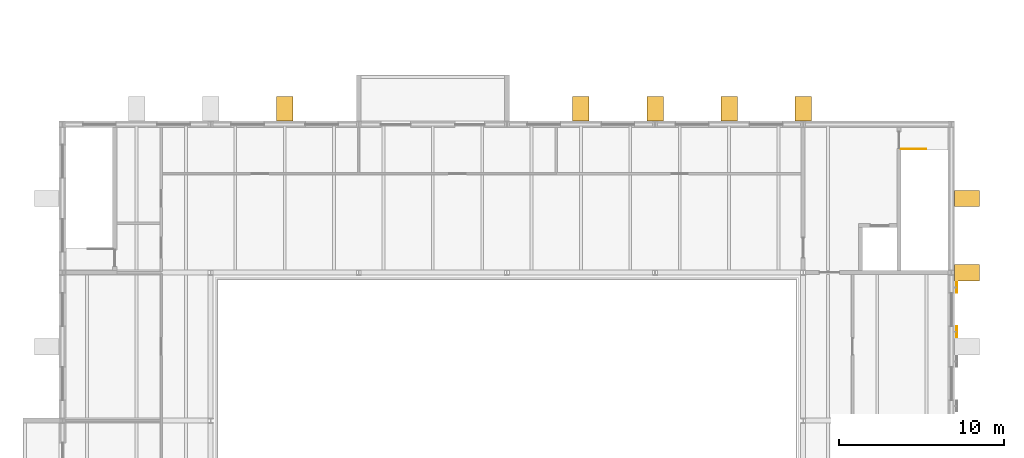
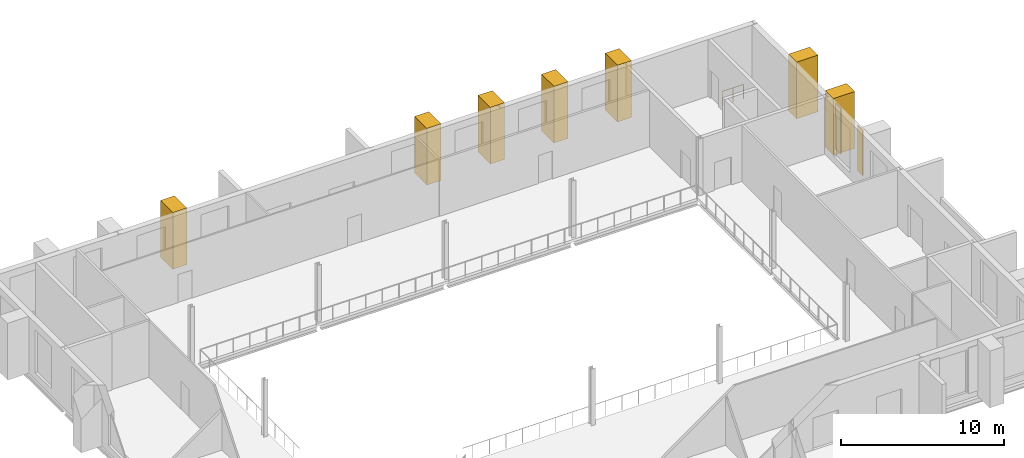
# One storey, part 129 of 131: 7 coverings, 2 shading devices, 1 railing.
"""IFC4 building model written with IfcOpenShell, lengths in metres."""

from ifc_helpers import new_model, si_unit, direction, frame, origin, origin_2d, place, context, subcontext, project, spatial, polyline, rectangle, circle, outline, extrude, material, type_object, element, save


model = new_model("IFC4")

# Units and contexts
model_context = context("Model", 3, precision=1e-05, world=origin(), true_north=direction((0.0, 1.0)))
body_context = subcontext(model_context, "Body", "Model", "MODEL_VIEW")
ifc_project = project(units=[si_unit("LENGTHUNIT", "METRE"), si_unit("AREAUNIT", "SQUARE_METRE"), si_unit("VOLUMEUNIT", "CUBIC_METRE"), si_unit("PLANEANGLEUNIT", "RADIAN"), si_unit("MASSUNIT", "GRAM", prefix="KILO")], contexts=[model_context])

# Site, building, storey
site_placement = place(None, origin())
site = spatial("IfcSite", under=ifc_project, at=site_placement, CompositionType="ELEMENT")
building_placement = place(site_placement, origin())
building = spatial("IfcBuilding", under=site, at=building_placement, Name="Golden Quay Civic Hall", CompositionType="ELEMENT")
storey_placement = place(building_placement, frame((0.0, 0.0, 9.89990234375)))
storey = spatial("IfcBuildingStorey", under=building, at=storey_placement, Name="L02", CompositionType="ELEMENT", Elevation=9.89990234375)

# Coverings
ifc_material_1 = material(Name="Brick, dark clay facing", Category="masonry")
covering_type = type_object("IfcCoveringType", Name="Brick pier cladding 1000 x 1500", PredefinedType="CLADDING", material=ifc_material_1)
covering_1_placement = place(storey_placement, origin())
element("IfcCovering", 1, at=covering_1_placement, inside=storey, type_object=covering_type, Name="Brick pier cladding 1000 x 1500 L02 4", PredefinedType="CLADDING", context=body_context, shape_type="SweptSolid", body=[
    extrude(outline(polyline([(130.0, 99.199951171875), (131.0, 99.199951171875), (131.0, 100.699951171875), (130.0, 100.699951171875), (130.0, 99.199951171875)])), origin(), (0.0, 0.0, 1.0), 4.25),
])
covering_2_placement = place(storey_placement, origin())
element("IfcCovering", 2, at=covering_2_placement, inside=storey, type_object=covering_type, Name="Brick pier cladding 1000 x 1500 L02 5", PredefinedType="CLADDING", context=body_context, shape_type="SweptSolid", body=[
    extrude(outline(polyline([(148.0, 99.199951171875), (149.0, 99.199951171875), (149.0, 100.699951171875), (148.0, 100.699951171875), (148.0, 99.199951171875)])), origin(), (0.0, 0.0, 1.0), 4.25),
])
covering_3_placement = place(storey_placement, origin())
element("IfcCovering", 3, at=covering_3_placement, inside=storey, type_object=covering_type, Name="Brick pier cladding 1000 x 1500 L02 6", PredefinedType="CLADDING", context=body_context, shape_type="SweptSolid", body=[
    extrude(outline(polyline([(152.5, 99.199951171875), (153.5, 99.199951171875), (153.5, 100.699951171875), (152.5, 100.699951171875), (152.5, 99.199951171875)])), origin(), (0.0, 0.0, 1.0), 4.25),
])
covering_4_placement = place(storey_placement, origin())
element("IfcCovering", 4, at=covering_4_placement, inside=storey, type_object=covering_type, Name="Brick pier cladding 1000 x 1500 L02 7", PredefinedType="CLADDING", context=body_context, shape_type="SweptSolid", body=[
    extrude(outline(polyline([(157.0, 99.199951171875), (158.0, 99.199951171875), (158.0, 100.699951171875), (157.0, 100.699951171875), (157.0, 99.199951171875)])), origin(), (0.0, 0.0, 1.0), 4.25),
])
covering_5_placement = place(storey_placement, origin())
element("IfcCovering", 5, at=covering_5_placement, inside=storey, type_object=covering_type, Name="Brick pier cladding 1000 x 1500 L02 8", PredefinedType="CLADDING", context=body_context, shape_type="SweptSolid", body=[
    extrude(outline(polyline([(161.5, 99.199951171875), (162.5, 99.199951171875), (162.5, 100.699951171875), (161.5, 100.699951171875), (161.5, 99.199951171875)])), origin(), (0.0, 0.0, 1.0), 4.25),
])
covering_6_placement = place(storey_placement, origin())
element("IfcCovering", 6, at=covering_6_placement, inside=storey, type_object=covering_type, Name="Brick pier cladding 1000 x 1500 L02 14", PredefinedType="CLADDING", context=body_context, shape_type="SweptSolid", body=[
    extrude(outline(polyline([(171.199951171875, 89.5), (171.199951171875, 90.5), (172.699951171875, 90.5), (172.699951171875, 89.5), (171.199951171875, 89.5)])), origin(), (0.0, 0.0, 1.0), 4.25),
])
covering_7_placement = place(storey_placement, origin())
element("IfcCovering", 7, at=covering_7_placement, inside=storey, type_object=covering_type, Name="Brick pier cladding 1000 x 1500 L02 15", PredefinedType="CLADDING", context=body_context, shape_type="SweptSolid", body=[
    extrude(outline(polyline([(171.199951171875, 94.0), (171.199951171875, 95.0), (172.699951171875, 95.0), (172.699951171875, 94.0), (171.199951171875, 94.0)])), origin(), (0.0, 0.0, 1.0), 4.25),
])

# Railing
ifc_material_2 = material(Name="Steel S355", Category="steel")
railing_type = type_object("IfcRailingType", Name="Steel guard 1100", PredefinedType="GUARDRAIL", material=ifc_material_2)
railing_placement = place(storey_placement, frame((167.949951171875, 97.5, 0.0)))
element("IfcRailing", 8, at=railing_placement, inside=storey, type_object=railing_type, Name="L02 LB-STE top well guard 1", PredefinedType="GUARDRAIL", context=body_context, shape_type="SweptSolid", body=[
    extrude(circle(Radius=0.02392578125, at=origin_2d()), frame((0.0, 0.0, 1.076171875), z_axis=(1.0, 0.0, 0.0), x_axis=(0.0, 1.0, 0.0)), (0.0, 0.0, 1.0), 1.5),
    extrude(circle(Radius=0.02099609375, at=origin_2d()), origin(), (0.0, 0.0, 1.0), 1.052001953125),
    extrude(circle(Radius=0.02099609375, at=origin_2d()), frame((0.75, 0.0, 0.0)), (0.0, 0.0, 1.0), 1.052001953125),
    extrude(circle(Radius=0.02099609375, at=origin_2d()), frame((1.5, 0.0, 0.0)), (0.0, 0.0, 1.0), 1.052001953125),
])

# Shading devices
ifc_material_3 = material(Name="Timber", Category="wood")
shading_device_type = type_object("IfcShadingDeviceType", Name="Timber storm shutter leaf 650 x 3400", PredefinedType="SHUTTER", material=ifc_material_3)
for number, where, z_axis, x_axis, name in (
    (9, (171.324951171875, 86.39990234375, 0.500244140625), (0.0, 0.0, 1.0), (1.0, 0.0, 0.0), "Storm shutter L02-E247a"),
    (10, (171.324951171875, 89.10009765625, 0.500244140625), (0.0, 0.0, 1.0), (1.0, 0.0, 0.0), "Storm shutter L02-E247b"),
):
    element("IfcShadingDevice", number, at=place(storey_placement, frame(where, z_axis=z_axis, x_axis=x_axis)), inside=storey, type_object=shading_device_type, Name=name, PredefinedType="SHUTTER", context=body_context, shape_type="SweptSolid", body=[
        extrude(rectangle(XDim=0.050048828125, YDim=0.64990234375, at=origin_2d()), origin(), (0.0, 0.0, 1.0), 3.39990234375),
    ])

save(model, "model.ifc")
